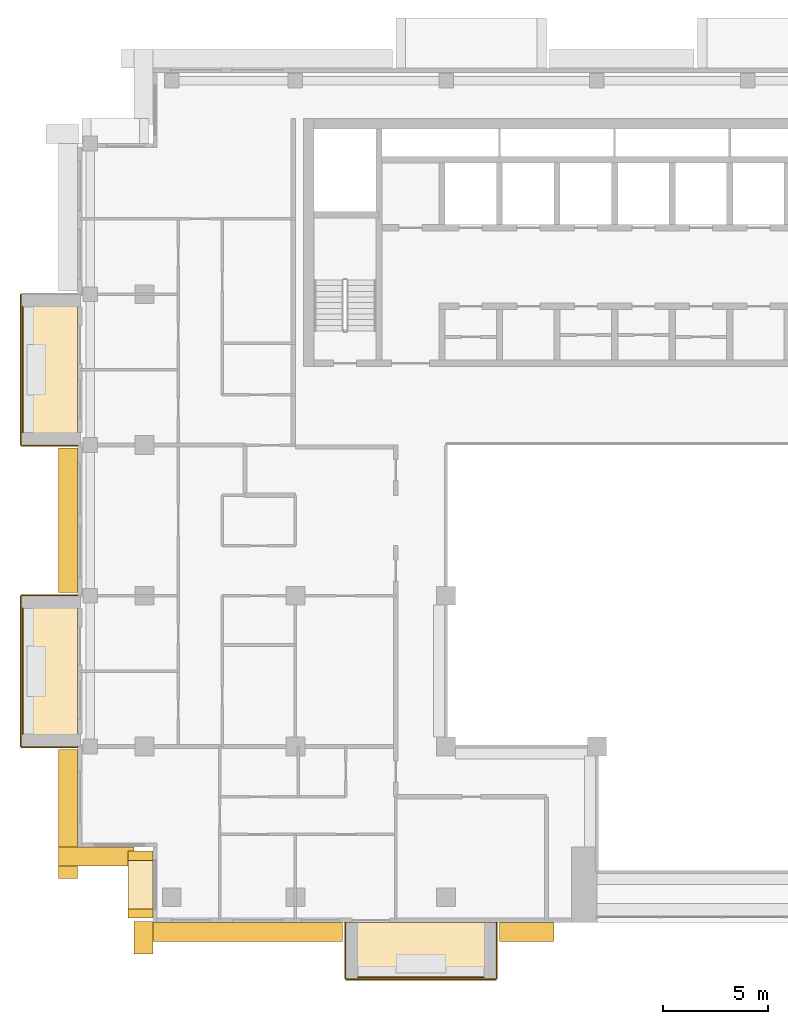
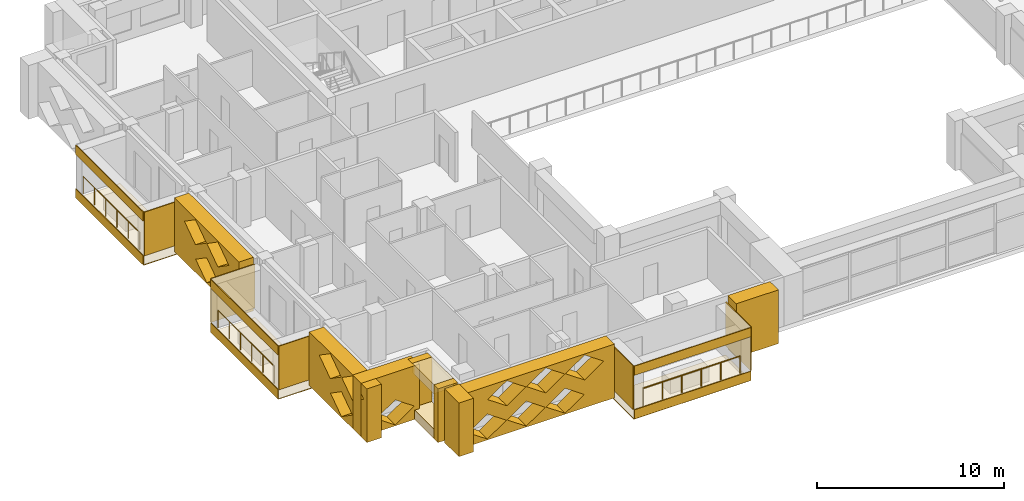
# One storey, part 13 of 19: 24 coverings, 3 railings.
"""IFC4 building model written with IfcOpenShell, lengths in metres."""

from ifc_helpers import new_model, si_unit, direction, frame, origin, origin_2d, place, context, subcontext, project, spatial, polyline, circle, outline, extrude, material, layer, layer_set, type_object, element, save


model = new_model("IFC4")

# Units and contexts
model_context = context("Model", 3, precision=1e-05, world=origin(), true_north=direction((0.0, 1.0)))
body_context = subcontext(model_context, "Body", "Model", "MODEL_VIEW")
ifc_project = project(units=[si_unit("LENGTHUNIT", "METRE"), si_unit("AREAUNIT", "SQUARE_METRE"), si_unit("VOLUMEUNIT", "CUBIC_METRE"), si_unit("PLANEANGLEUNIT", "RADIAN"), si_unit("MASSUNIT", "GRAM", prefix="KILO")], contexts=[model_context])

# Site, building, storey
site_placement = place(None, origin())
site = spatial("IfcSite", under=ifc_project, at=site_placement, CompositionType="ELEMENT")
building_placement = place(site_placement, origin())
building = spatial("IfcBuilding", under=site, at=building_placement, Name="Saffron Iwan Residences", CompositionType="ELEMENT")
storey_placement = place(building_placement, frame((0.0, 0.0, 225.5)))
storey = spatial("IfcBuildingStorey", under=building, at=storey_placement, Name="L60", CompositionType="ELEMENT", Elevation=225.5)

# Railings
ifc_material_1 = material(Name="Stainless steel 316", Category="steel")
railing_type = type_object("IfcRailingType", Name="BALCONY GUARD 1150", PredefinedType="GUARDRAIL", material=ifc_material_1)
for number, where, name in (
    (1, (15.77490234375, 69.0, 0.0), "Balcony guard L60 F8-0"),
    (2, (15.77490234375, 54.60009765625, 0.0), "Balcony guard L60 F8-1"),
):
    element("IfcRailing", number, at=place(storey_placement, frame(where)), inside=storey, type_object=railing_type, Name=name, PredefinedType="GUARDRAIL", context=body_context, shape_type="SweptSolid", body=[
        extrude(circle(Radius=0.02392578125, at=origin_2d()), frame((0.0, 0.0, 1.1259765625), z_axis=(0.0, -1.0, 0.0), x_axis=(1.0, 0.0, 0.0)), (0.0, 0.0, 1.0), 6.0),
        extrude(circle(Radius=0.02099609375, at=origin_2d()), origin(), (0.0, 0.0, 1.0), 1.101806640625),
        extrude(circle(Radius=0.02099609375, at=origin_2d()), frame((0.0, -1.199951171875, 0.0)), (0.0, 0.0, 1.0), 1.101806640625),
        extrude(circle(Radius=0.02099609375, at=origin_2d()), frame((0.0, -2.39990234375, 0.0)), (0.0, 0.0, 1.0), 1.101806640625),
        extrude(circle(Radius=0.02099609375, at=origin_2d()), frame((0.0, -3.60009765625, 0.0)), (0.0, 0.0, 1.0), 1.101806640625),
        extrude(circle(Radius=0.02099609375, at=origin_2d()), frame((0.0, -4.800048828125, 0.0)), (0.0, 0.0, 1.0), 1.101806640625),
        extrude(circle(Radius=0.02099609375, at=origin_2d()), frame((0.0, -6.0, 0.0)), (0.0, 0.0, 1.0), 1.101806640625),
    ])
railing_placement = place(storey_placement, frame((31.800048828125, 36.97509765625, 0.0)))
element("IfcRailing", 3, at=railing_placement, inside=storey, type_object=railing_type, Name="Balcony guard L60 11-0", PredefinedType="GUARDRAIL", context=body_context, shape_type="SweptSolid", body=[
    extrude(circle(Radius=0.02392578125, at=origin_2d()), frame((0.0, 0.0, 1.1259765625), z_axis=(1.0, 0.0, 0.0), x_axis=(0.0, 1.0, 0.0)), (0.0, 0.0, 1.0), 6.0),
    extrude(circle(Radius=0.02099609375, at=origin_2d()), origin(), (0.0, 0.0, 1.0), 1.101806640625),
    extrude(circle(Radius=0.02099609375, at=origin_2d()), frame((1.199951171875, 0.0, 0.0)), (0.0, 0.0, 1.0), 1.101806640625),
    extrude(circle(Radius=0.02099609375, at=origin_2d()), frame((2.39990234375, 0.0, 0.0)), (0.0, 0.0, 1.0), 1.101806640625),
    extrude(circle(Radius=0.02099609375, at=origin_2d()), frame((3.60009765625, 0.0, 0.0)), (0.0, 0.0, 1.0), 1.101806640625),
    extrude(circle(Radius=0.02099609375, at=origin_2d()), frame((4.800048828125, 0.0, 0.0)), (0.0, 0.0, 1.0), 1.101806640625),
    extrude(circle(Radius=0.02099609375, at=origin_2d()), frame((6.0, 0.0, 0.0)), (0.0, 0.0, 1.0), 1.101806640625),
])

# Coverings
ifc_material_2 = material(Name="Precast concrete C40/50 white painted", Category="concrete")
ifc_layer = layer(ifc_material_2, 0.050048828125)
ifc_layer_set = layer_set([ifc_layer], Name="Precast concrete C40/50 white painted")
covering_type_1 = type_object("IfcCoveringType", Name="FRAME SKIN PRECAST WHITE 50", PredefinedType="CLADDING", material=ifc_layer_set)
for number, where, name in (
    (4, (0.0, 0.0, -0.60009765625), "Frame skin slab edge L60 F8-0"),
    (5, (0.0, 0.0, 2.25), "Frame skin fascia L60 F8-0"),
):
    element("IfcCovering", number, at=place(storey_placement, frame(where)), inside=storey, type_object=covering_type_1, Name=name, PredefinedType="CLADDING", context=body_context, shape_type="SweptSolid", body=[
        extrude(outline(polyline([(15.64990234375, 69.60009765625), (15.64990234375, 62.39990234375), (15.699951171875, 62.39990234375), (15.699951171875, 69.60009765625), (15.64990234375, 69.60009765625)])), origin(), (0.0, 0.0, 1.0), 0.60009765625),
    ])
covering_1_placement = place(storey_placement, frame((0.0, 0.0, -0.64990234375)))
element("IfcCovering", 6, at=covering_1_placement, inside=storey, type_object=covering_type_1, Name="Frame skin soffit L60 F8-0", PredefinedType="CLADDING", context=body_context, shape_type="SweptSolid", body=[
    extrude(outline(polyline([(15.699951171875, 69.60009765625), (15.699951171875, 62.39990234375), (18.39990234375, 62.39990234375), (18.39990234375, 69.60009765625), (15.699951171875, 69.60009765625)])), origin(), (0.0, 0.0, 1.0), 0.0498046875),
])
covering_2_placement = place(storey_placement, origin())
element("IfcCovering", 7, at=covering_2_placement, inside=storey, type_object=covering_type_1, Name="Frame skin fin L60 F8-0b", PredefinedType="CLADDING", context=body_context, shape_type="SweptSolid", body=[
    extrude(outline(polyline([(15.699951171875, 62.39990234375), (15.699951171875, 62.35009765625), (18.39990234375, 62.35009765625), (18.39990234375, 62.39990234375), (15.699951171875, 62.39990234375)])), origin(), (0.0, 0.0, 1.0), 2.85009765625),
])
for number, where, name in (
    (8, (0.0, 0.0, -0.60009765625), "Frame skin slab edge L60 F8-1"),
    (9, (0.0, 0.0, 2.25), "Frame skin fascia L60 F8-1"),
):
    element("IfcCovering", number, at=place(storey_placement, frame(where)), inside=storey, type_object=covering_type_1, Name=name, PredefinedType="CLADDING", context=body_context, shape_type="SweptSolid", body=[
        extrude(outline(polyline([(15.64990234375, 55.199951171875), (15.64990234375, 48.0), (15.699951171875, 48.0), (15.699951171875, 55.199951171875), (15.64990234375, 55.199951171875)])), origin(), (0.0, 0.0, 1.0), 0.60009765625),
    ])
covering_3_placement = place(storey_placement, frame((0.0, 0.0, -0.64990234375)))
element("IfcCovering", 10, at=covering_3_placement, inside=storey, type_object=covering_type_1, Name="Frame skin soffit L60 F8-1", PredefinedType="CLADDING", context=body_context, shape_type="SweptSolid", body=[
    extrude(outline(polyline([(15.699951171875, 55.199951171875), (15.699951171875, 48.0), (18.39990234375, 48.0), (18.39990234375, 55.199951171875), (15.699951171875, 55.199951171875)])), origin(), (0.0, 0.0, 1.0), 0.0498046875),
])
covering_4_placement = place(storey_placement, origin())
element("IfcCovering", 11, at=covering_4_placement, inside=storey, type_object=covering_type_1, Name="Frame skin fin L60 F8-1a", PredefinedType="CLADDING", context=body_context, shape_type="SweptSolid", body=[
    extrude(outline(polyline([(15.699951171875, 55.25), (15.699951171875, 55.199951171875), (18.39990234375, 55.199951171875), (18.39990234375, 55.25), (15.699951171875, 55.25)])), origin(), (0.0, 0.0, 1.0), 2.85009765625),
])
covering_5_placement = place(storey_placement, origin())
element("IfcCovering", 12, at=covering_5_placement, inside=storey, type_object=covering_type_1, Name="Frame skin fin L60 F8-1b", PredefinedType="CLADDING", context=body_context, shape_type="SweptSolid", body=[
    extrude(outline(polyline([(15.699951171875, 48.0), (15.699951171875, 47.949951171875), (18.39990234375, 47.949951171875), (18.39990234375, 48.0), (15.699951171875, 48.0)])), origin(), (0.0, 0.0, 1.0), 2.85009765625),
])
for number, where, name in (
    (13, (0.0, 0.0, -0.60009765625), "Frame skin slab edge L60 11-0"),
    (14, (0.0, 0.0, 2.25), "Frame skin fascia L60 11-0"),
):
    element("IfcCovering", number, at=place(storey_placement, frame(where)), inside=storey, type_object=covering_type_1, Name=name, PredefinedType="CLADDING", context=body_context, shape_type="SweptSolid", body=[
        extrude(outline(polyline([(31.199951171875, 36.85009765625), (38.39990234375, 36.85009765625), (38.39990234375, 36.89990234375), (31.199951171875, 36.89990234375), (31.199951171875, 36.85009765625)])), origin(), (0.0, 0.0, 1.0), 0.60009765625),
    ])
covering_6_placement = place(storey_placement, frame((0.0, 0.0, -0.64990234375)))
element("IfcCovering", 15, at=covering_6_placement, inside=storey, type_object=covering_type_1, Name="Frame skin soffit L60 11-0", PredefinedType="CLADDING", context=body_context, shape_type="SweptSolid", body=[
    extrude(outline(polyline([(31.199951171875, 36.89990234375), (38.39990234375, 36.89990234375), (38.39990234375, 39.60009765625), (31.199951171875, 39.60009765625), (31.199951171875, 36.89990234375)])), origin(), (0.0, 0.0, 1.0), 0.0498046875),
])
covering_7_placement = place(storey_placement, origin())
element("IfcCovering", 16, at=covering_7_placement, inside=storey, type_object=covering_type_1, Name="Frame skin fin L60 11-0a", PredefinedType="CLADDING", context=body_context, shape_type="SweptSolid", body=[
    extrude(outline(polyline([(31.14990234375, 36.89990234375), (31.199951171875, 36.89990234375), (31.199951171875, 39.60009765625), (31.14990234375, 39.60009765625), (31.14990234375, 36.89990234375)])), origin(), (0.0, 0.0, 1.0), 2.85009765625),
])
covering_8_placement = place(storey_placement, origin())
element("IfcCovering", 17, at=covering_8_placement, inside=storey, type_object=covering_type_1, Name="Frame skin fin L60 11-0b", PredefinedType="CLADDING", context=body_context, shape_type="SweptSolid", body=[
    extrude(outline(polyline([(38.39990234375, 36.89990234375), (38.449951171875, 36.89990234375), (38.449951171875, 39.60009765625), (38.39990234375, 39.60009765625), (38.39990234375, 36.89990234375)])), origin(), (0.0, 0.0, 1.0), 2.85009765625),
])
ifc_material_3 = material(Name="Precast concrete C40/50", Category="concrete")
covering_type_2 = type_object("IfcCoveringType", Name="OUTER SKIN LATTICE SCREEN", PredefinedType="CLADDING", material=ifc_material_3)
covering_9_placement = place(storey_placement, frame((18.39990234375, 62.25, -0.280029296875), z_axis=(-1.0, 0.0, 0.0), x_axis=(0.0, -1.0, 0.0)))
element("IfcCovering", 18, at=covering_9_placement, inside=storey, type_object=covering_type_2, Name="OUTER SKIN lattice screen L60 F8.1", PredefinedType="CLADDING", context=body_context, shape_type="SweptSolid", body=[
    extrude(outline(polyline([(0.0, 0.0), (6.89990234375, 0.0), (6.89990234375, 3.5), (0.0, 3.5), (0.0, 0.0)]), holes=[polyline([(2.27001953125, 0.875), (3.449951171875, 0.06005859375), (4.6298828125, 0.875), (3.449951171875, 1.68994140625), (2.27001953125, 0.875)]), polyline([(1.070068359375, 2.625), (2.25, 1.81005859375), (3.429931640625, 2.625), (2.25, 3.43994140625), (1.070068359375, 2.625)]), polyline([(3.469970703125, 2.625), (4.64990234375, 1.81005859375), (5.830078125, 2.625), (4.64990234375, 3.43994140625), (3.469970703125, 2.625)])]), origin(), (0.0, 0.0, 1.0), 0.89990234375),
])
covering_10_placement = place(storey_placement, frame((18.39990234375, 47.85009765625, -0.280029296875), z_axis=(-1.0, 0.0, 0.0), x_axis=(0.0, -1.0, 0.0)))
element("IfcCovering", 19, at=covering_10_placement, inside=storey, type_object=covering_type_2, Name="OUTER SKIN lattice screen L60 F8.2", PredefinedType="CLADDING", context=body_context, shape_type="SweptSolid", body=[
    extrude(outline(polyline([(0.0, 0.0), (6.14990234375, 0.0), (6.14990234375, 3.5), (0.0, 3.5), (0.0, 0.0)]), holes=[polyline([(2.27001953125, 0.875), (3.449951171875, 0.06005859375), (4.6298828125, 0.875), (3.449951171875, 1.68994140625), (2.27001953125, 0.875)]), polyline([(1.070068359375, 2.625), (2.25, 1.81005859375), (3.429931640625, 2.625), (2.25, 3.43994140625), (1.070068359375, 2.625)]), polyline([(3.469970703125, 2.625), (4.64990234375, 1.81005859375), (5.830078125, 2.625), (4.64990234375, 3.43994140625), (3.469970703125, 2.625)])]), origin(), (0.0, 0.0, 1.0), 0.89990234375),
])
covering_11_placement = place(storey_placement, frame((17.5, 43.199951171875, -0.280029296875), z_axis=(0.0, -1.0, 0.0), x_axis=(1.0, 0.0, 0.0)))
element("IfcCovering", 20, at=covering_11_placement, inside=storey, type_object=covering_type_2, Name="OUTER SKIN lattice screen L60 F9.0", PredefinedType="CLADDING", context=body_context, shape_type="SweptSolid", body=[
    extrude(outline(polyline([(0.0, 0.0), (3.60009765625, 0.0), (3.60009765625, 3.5), (0.0, 3.5), (0.0, 0.0)]), holes=[polyline([(0.919921875, 0.875), (2.10009765625, 0.06005859375), (3.280029296875, 0.875), (2.10009765625, 1.68994140625), (0.919921875, 0.875)])]), origin(), (0.0, 0.0, 1.0), 0.89990234375),
])
covering_12_placement = place(storey_placement, frame((22.0, 39.64990234375, -0.280029296875), z_axis=(-1.0, 0.0, 0.0), x_axis=(0.0, -1.0, 0.0)))
element("IfcCovering", 21, at=covering_12_placement, inside=storey, type_object=covering_type_2, Name="OUTER SKIN lattice screen L60 F10.0", PredefinedType="CLADDING", context=body_context, shape_type="SweptSolid", body=[
    extrude(outline(polyline([(0.0, 0.0), (1.550048828125, 0.0), (1.550048828125, 3.5), (0.0, 3.5), (0.0, 0.0)])), origin(), (0.0, 0.0, 1.0), 0.89990234375),
])
covering_13_placement = place(storey_placement, frame((21.10009765625, 39.60009765625, -0.280029296875), z_axis=(0.0, -1.0, 0.0), x_axis=(1.0, 0.0, 0.0)))
element("IfcCovering", 22, at=covering_13_placement, inside=storey, type_object=covering_type_2, Name="OUTER SKIN lattice screen L60 F11.0", PredefinedType="CLADDING", context=body_context, shape_type="SweptSolid", body=[
    extrude(outline(polyline([(0.0, 0.0), (9.949951171875, 0.0), (9.949951171875, 3.5), (0.0, 3.5), (0.0, 0.0)]), holes=[polyline([(0.919921875, 0.875), (2.10009765625, 0.06005859375), (3.280029296875, 0.875), (2.10009765625, 1.68994140625), (0.919921875, 0.875)]), polyline([(3.320068359375, 0.875), (4.5, 0.06005859375), (5.679931640625, 0.875), (4.5, 1.68994140625), (3.320068359375, 0.875)]), polyline([(5.719970703125, 0.875), (6.89990234375, 0.06005859375), (8.080078125, 0.875), (6.89990234375, 1.68994140625), (5.719970703125, 0.875)]), polyline([(2.1201171875, 2.625), (3.300048828125, 1.81005859375), (4.47998046875, 2.625), (3.300048828125, 3.43994140625), (2.1201171875, 2.625)]), polyline([(4.52001953125, 2.625), (5.699951171875, 1.81005859375), (6.8798828125, 2.625), (5.699951171875, 3.43994140625), (4.52001953125, 2.625)]), polyline([(6.919921875, 2.625), (8.10009765625, 1.81005859375), (9.280029296875, 2.625), (8.10009765625, 3.43994140625), (6.919921875, 2.625)])]), origin(), (0.0, 0.0, 1.0), 0.900146484375),
])
covering_14_placement = place(storey_placement, frame((38.550048828125, 39.60009765625, -0.280029296875), z_axis=(0.0, -1.0, 0.0), x_axis=(1.0, 0.0, 0.0)))
element("IfcCovering", 23, at=covering_14_placement, inside=storey, type_object=covering_type_2, Name="OUTER SKIN lattice screen L60 F11.1", PredefinedType="CLADDING", context=body_context, shape_type="SweptSolid", body=[
    extrude(outline(polyline([(0.0, 0.0), (2.60009765625, 0.0), (2.60009765625, 3.5), (0.0, 3.5), (0.0, 0.0)])), origin(), (0.0, 0.0, 1.0), 0.900146484375),
])
covering_type_3 = type_object("IfcCoveringType", Name="WHITE SUN FRAME PRECAST", PredefinedType="CLADDING", material=ifc_material_2)
for number, where, z_axis, x_axis, name in (
    (24, (22.0, 43.0, -0.280029296875), (-1.0, 0.0, 0.0), (0.0, -1.0, 0.0), "Sun frame L60 F10 0.2a"),
    (25, (22.0, 40.25, -0.280029296875), (-1.0, 0.0, 0.0), (0.0, -1.0, 0.0), "Sun frame L60 F10 0.2b"),
):
    element("IfcCovering", number, at=place(storey_placement, frame(where, z_axis=z_axis, x_axis=x_axis)), inside=storey, type_object=covering_type_3, Name=name, PredefinedType="CLADDING", context=body_context, shape_type="SweptSolid", body=[
        extrude(outline(polyline([(0.0, 0.0), (0.449951171875, 0.0), (0.449951171875, 3.5), (0.0, 3.5), (0.0, 0.0)])), origin(), (0.0, 0.0, 1.0), 1.199951171875),
    ])
for number, where, z_axis, x_axis, name in (
    (26, (22.0, 42.550048828125, 2.6201171875), (-1.0, 0.0, 0.0), (0.0, -1.0, 0.0), "Sun frame L60 F10 0.2h"),
    (27, (22.0, 42.550048828125, -0.280029296875), (-1.0, 0.0, 0.0), (0.0, -1.0, 0.0), "Sun frame L60 F10 0.2s"),
):
    element("IfcCovering", number, at=place(storey_placement, frame(where, z_axis=z_axis, x_axis=x_axis)), inside=storey, type_object=covering_type_3, Name=name, PredefinedType="CLADDING", context=body_context, shape_type="SweptSolid", body=[
        extrude(outline(polyline([(0.0, 0.0), (2.300048828125, 0.0), (2.300048828125, 0.60009765625), (0.0, 0.60009765625), (0.0, 0.0)])), origin(), (0.0, 0.0, 1.0), 1.199951171875),
    ])

save(model, "model.ifc")
